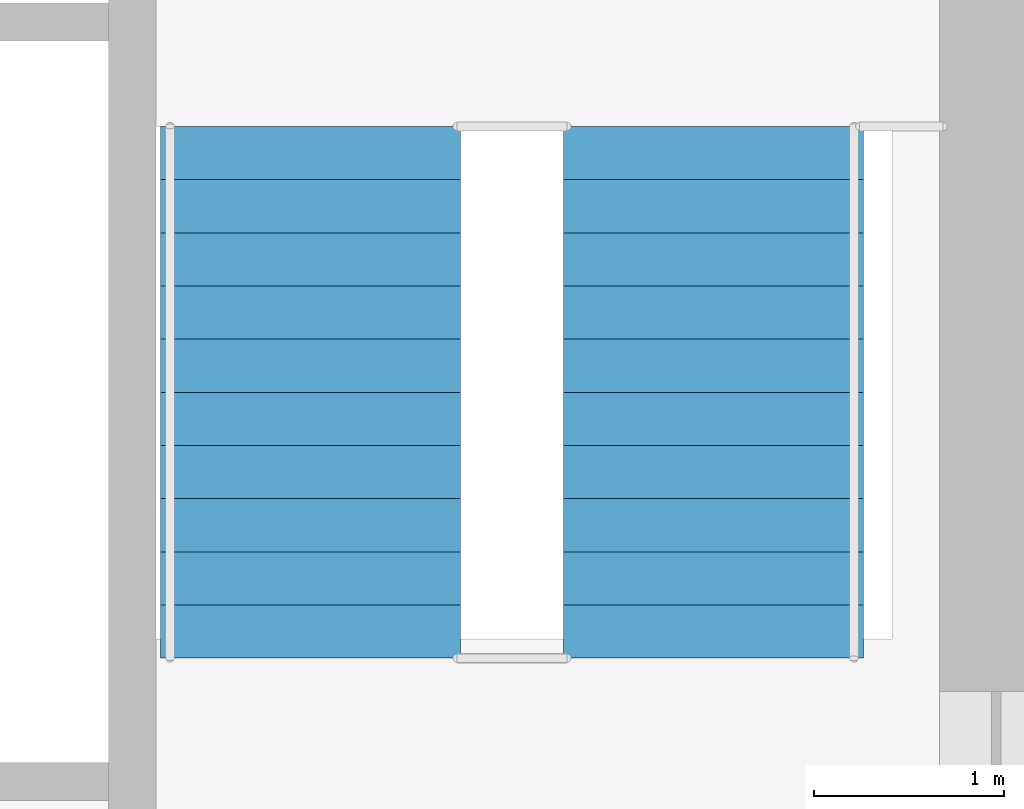
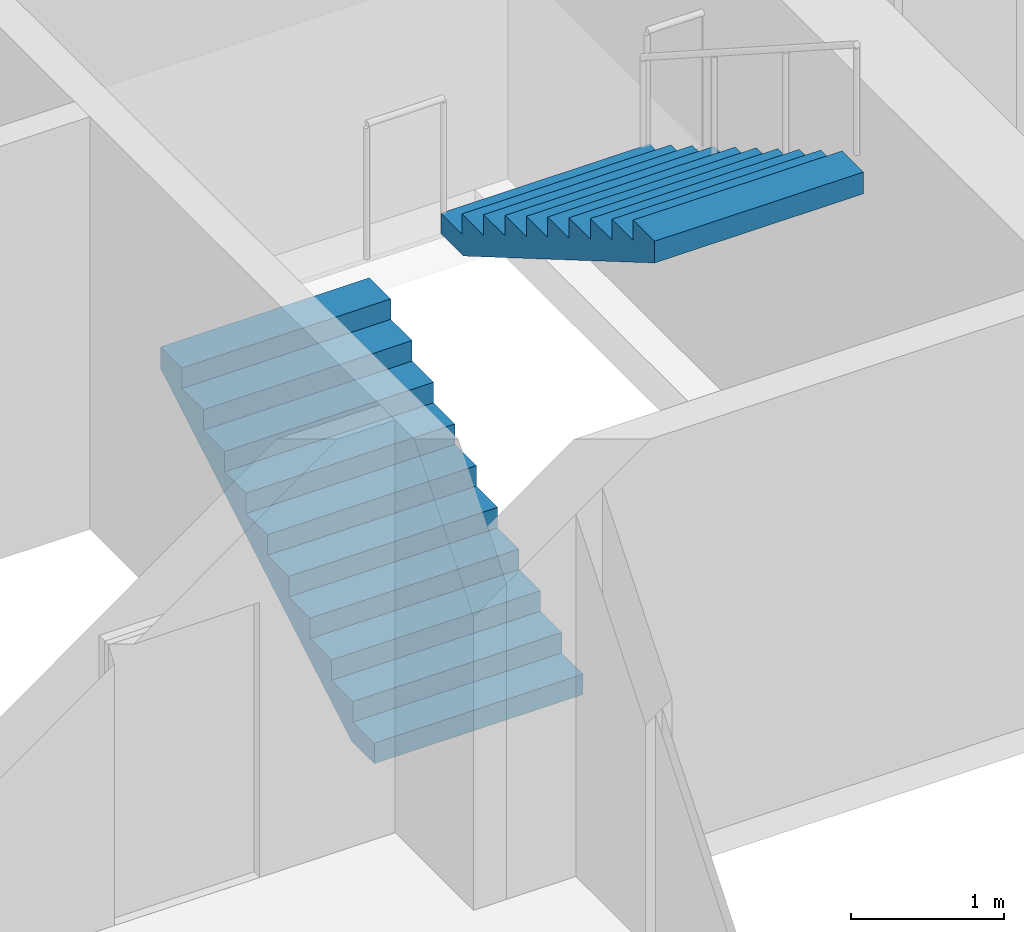
# One storey, part 15 of 18: 2 stair flights, 1 element without a shape of its own.
"""IFC4 building model written with IfcOpenShell, lengths in metres."""

from ifc_helpers import new_model, si_unit, direction, frame, origin, place, context, subcontext, project, spatial, polyline, outline, extrude, material, type_object, element, aggregate, save


model = new_model("IFC4")

# Units and contexts
model_context = context("Model", 3, precision=1e-05, world=origin(), true_north=direction((0.0, 1.0)))
body_context = subcontext(model_context, "Body", "Model", "MODEL_VIEW")
ifc_project = project(units=[si_unit("LENGTHUNIT", "METRE"), si_unit("AREAUNIT", "SQUARE_METRE"), si_unit("VOLUMEUNIT", "CUBIC_METRE"), si_unit("PLANEANGLEUNIT", "RADIAN"), si_unit("MASSUNIT", "GRAM", prefix="KILO")], contexts=[model_context])

# Site, building, storey
site_placement = place(None, origin())
site = spatial("IfcSite", under=ifc_project, at=site_placement, CompositionType="ELEMENT")
building_placement = place(site_placement, origin())
building = spatial("IfcBuilding", under=site, at=building_placement, Name="Pilkhan Gate Tower", CompositionType="ELEMENT")
storey_placement = place(building_placement, frame((0.0, 0.0, 221.10009765625)))
storey = spatial("IfcBuildingStorey", under=building, at=storey_placement, Name="L57", CompositionType="ELEMENT", Elevation=221.10009765625)

# Stair, stair flights
ifc_material = material(Name="Concrete C40/50 precast", Category="concrete")
stair_type = type_object("IfcStairType", Name="Stair ST4 164x280", PredefinedType="HALF_TURN_STAIR", material=ifc_material)
stair_placement = place(storey_placement, origin())
stair = element("IfcStair", 1, at=stair_placement, inside=storey, type_object=stair_type, Name="Stair ST4 L57", PredefinedType="HALF_TURN_STAIR")
stair_flight_type = type_object("IfcStairFlightType", Name="Stair flight ST4 164x280x11", PredefinedType="STRAIGHT", material=ifc_material)
stair_flight_1_placement = place(storey_placement, frame((85.68994140625, 87.39990234375, 0.0), z_axis=(0.0, 0.0, 1.0), x_axis=(0.0, 1.0, 0.0)))
stair_flight_1 = element("IfcStairFlight", 2, at=stair_flight_1_placement, type_object=stair_flight_type, Name="ST4 flight 1", NumberOfRisers=11, NumberOfTreads=10, PredefinedType="STRAIGHT", RiserHeight=0.163636364, TreadLength=0.28, context=body_context, shape_type="SweptSolid", body=[
    extrude(outline(polyline([(0.0, 0.0), (0.0, 0.16357421875), (0.280029296875, 0.16357421875), (0.280029296875, 0.327392578125), (0.56005859375, 0.327392578125), (0.56005859375, 0.490966796875), (0.840087890625, 0.490966796875), (0.840087890625, 0.654541015625), (1.1201171875, 0.654541015625), (1.1201171875, 0.818115234375), (1.39990234375, 0.818115234375), (1.39990234375, 0.98193359375), (1.679931640625, 0.98193359375), (1.679931640625, 1.1455078125), (1.9599609375, 1.1455078125), (1.9599609375, 1.30908203125), (2.239990234375, 1.30908203125), (2.239990234375, 1.47265625), (2.52001953125, 1.47265625), (2.52001953125, 1.636474609375), (2.800048828125, 1.636474609375), (2.800048828125, 1.800048828125), (2.800048828125, 1.462646484375), (0.297119140625, 0.0), (0.0, 0.0)])), frame((0.0, 0.7900390625, 0.0), z_axis=(0.0, -1.0, 0.0), x_axis=(1.0, 0.0, 0.0)), (0.0, 0.0, 1.0), 1.580078125),
])
stair_flight_2_placement = place(storey_placement, frame((87.81005859375, 90.199951171875, 1.7998046875), z_axis=(0.0, 0.0, 1.0), x_axis=(0.0, -1.0, 0.0)))
stair_flight_2 = element("IfcStairFlight", 3, at=stair_flight_2_placement, type_object=stair_flight_type, Name="ST4 flight 2", NumberOfRisers=11, NumberOfTreads=10, PredefinedType="STRAIGHT", RiserHeight=0.163636364, TreadLength=0.28, context=body_context, shape_type="SweptSolid", body=[
    extrude(outline(polyline([(0.0, 0.0), (0.0, 0.16357421875), (0.280029296875, 0.16357421875), (0.280029296875, 0.327392578125), (0.56005859375, 0.327392578125), (0.56005859375, 0.490966796875), (0.840087890625, 0.490966796875), (0.840087890625, 0.654541015625), (1.1201171875, 0.654541015625), (1.1201171875, 0.818115234375), (1.39990234375, 0.818115234375), (1.39990234375, 0.98193359375), (1.679931640625, 0.98193359375), (1.679931640625, 1.1455078125), (1.9599609375, 1.1455078125), (1.9599609375, 1.30908203125), (2.239990234375, 1.30908203125), (2.239990234375, 1.47265625), (2.52001953125, 1.47265625), (2.52001953125, 1.636474609375), (2.800048828125, 1.636474609375), (2.800048828125, 1.800048828125), (2.800048828125, 1.462646484375), (0.297119140625, 0.0), (0.0, 0.0)])), frame((0.0, 0.7900390625, 0.0), z_axis=(0.0, -1.0, 0.0), x_axis=(1.0, 0.0, 0.0)), (0.0, 0.0, 1.0), 1.580078125),
])
aggregate(stair, [stair_flight_1, stair_flight_2])

save(model, "model.ifc")
